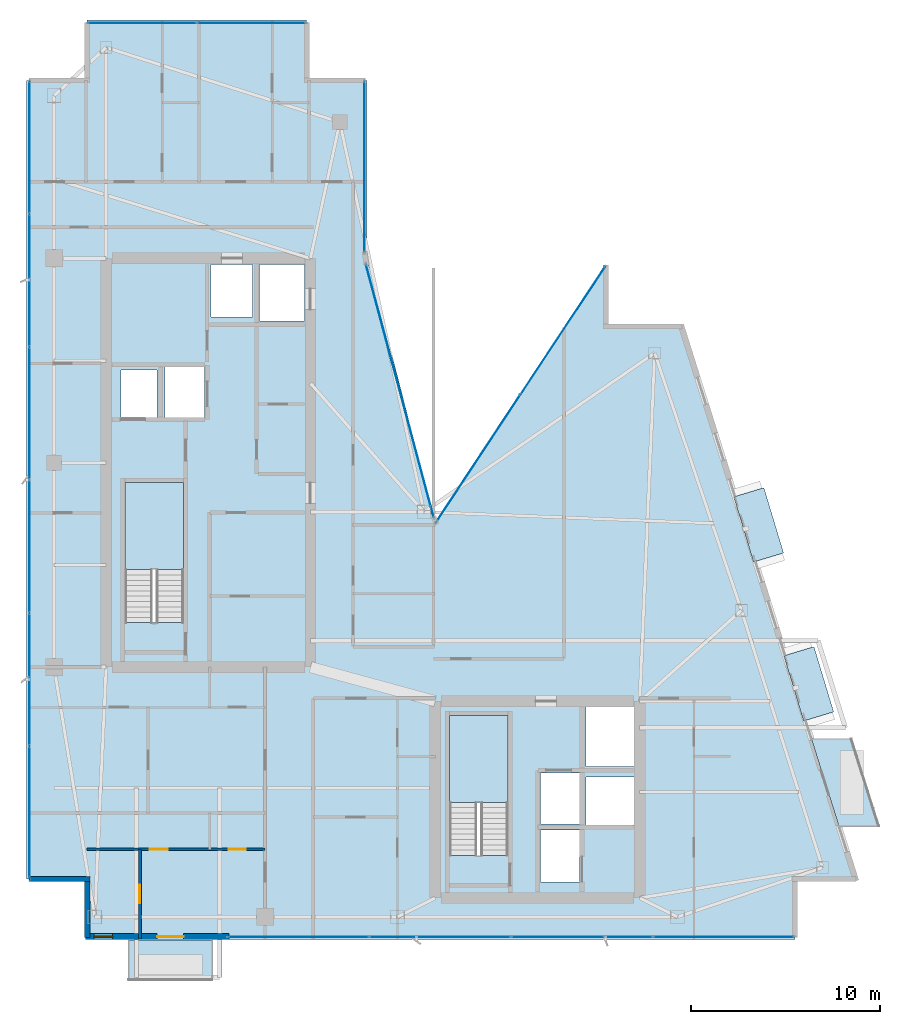
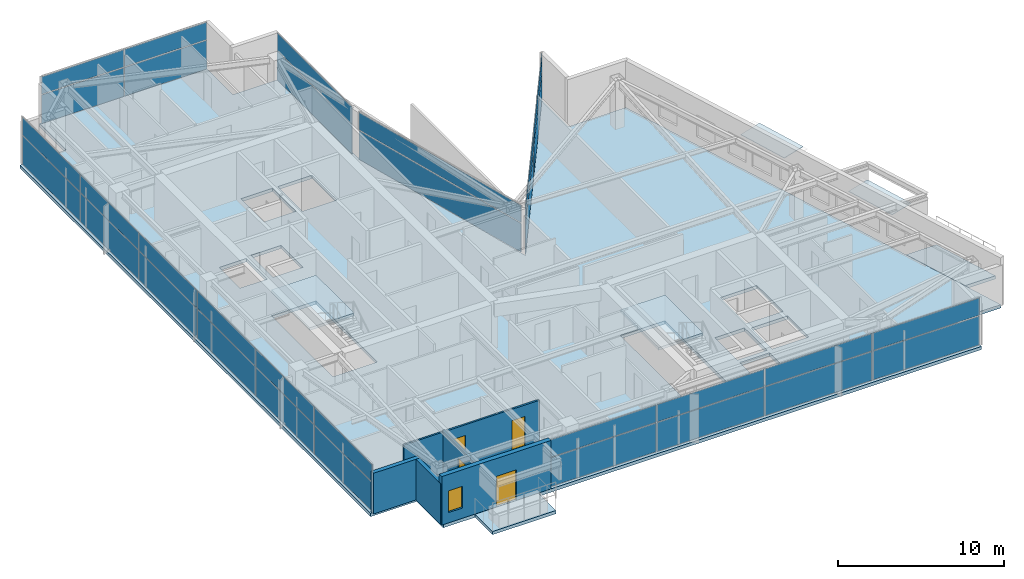
# One storey, part 22 of 28: 34 plates, 5 slabs, 5 walls, 4 doors, 1 window, 5 openings, 8 elements without a shape of their own.
"""IFC4 building model written with IfcOpenShell, lengths in metres."""

import ifcopenshell
import ifcopenshell.guid

model = None  # the IFC model being written
_history = None  # IfcOwnerHistory: only IFC2X3 demands one
_inside = {}  # id of a spatial element -> (the spatial element, [elements in it])
_under = {}  # id of a project, library or spatial element -> (it, [spatial elements below it])
_declared = {}  # id of a project -> (the project, [libraries it declares])
_typed = {}  # id of a type object -> (the type object, [elements of that type])
_made_of = {}  # id of a material, layer set ... -> (it, [elements and type objects made of it])


def new_model(schema):
    """Start an empty IFC model of exactly this schema.

    Asked for "IFC4X3", IfcOpenShell would pick the latest addendum, in which some entities
    have other attributes; the version numbers below select the first issue.
    IFC2X3 requires an IfcOwnerHistory on every rooted entity: one is made here for all.
    """
    global model, _history
    if schema == "IFC4X3":
        model = ifcopenshell.file(schema_version=(4, 3, 0, 0))
    else:
        model = ifcopenshell.file(schema=schema)
    _inside.clear()
    _under.clear()
    _declared.clear()
    _typed.clear()
    _made_of.clear()
    _history = None
    if model.schema == "IFC2X3":
        org = make("IfcOrganization", Name="unknown")
        user = make(
            "IfcPersonAndOrganization",
            ThePerson=make("IfcPerson", FamilyName="unknown"),
            TheOrganization=org,
        )
        app = make(
            "IfcApplication",
            ApplicationDeveloper=org,
            Version="unknown",
            ApplicationFullName="unknown",
            ApplicationIdentifier="unknown",
        )
        _history = make(
            "IfcOwnerHistory",
            OwningUser=user,
            OwningApplication=app,
            ChangeAction="ADDED",
            CreationDate=0,
        )
    return model


def make(cls, **values):
    """One entity of the class cls with the attributes given. An attribute that is None is left unset."""
    return model.create_entity(
        cls, **{name: value for name, value in values.items() if value is not None}
    )


def rooted(cls, **values):
    """An entity with a GlobalId (a new one), such as an element, a storey or a relation."""
    return make(cls, GlobalId=ifcopenshell.guid.new(), OwnerHistory=_history, **values)


def si_unit(unit_type, name, prefix=None):
    """IfcSIUnit, for example si_unit("LENGTHUNIT", "METRE", prefix="MILLI")."""
    return make("IfcSIUnit", UnitType=unit_type, Prefix=prefix, Name=name)


def assignment(units):
    """IfcUnitAssignment: the units of a project."""
    return None if units is None else make("IfcUnitAssignment", Units=units)


def point(xyz):
    """IfcCartesianPoint."""
    return None if xyz is None else make("IfcCartesianPoint", Coordinates=xyz)


def direction(xyz):
    """IfcDirection."""
    return None if xyz is None else make("IfcDirection", DirectionRatios=xyz)


def frame(location, z_axis=None, x_axis=None):
    """IfcAxis2Placement3D, a coordinate frame: its origin and axes. An axis left out is left unset."""
    return make(
        "IfcAxis2Placement3D",
        Location=point(location),
        Axis=direction(z_axis),
        RefDirection=direction(x_axis),
    )


def frame_2d(location, x_axis=None):
    """IfcAxis2Placement2D, a coordinate frame in the plane: its origin and x axis."""
    return make(
        "IfcAxis2Placement2D", Location=point(location), RefDirection=direction(x_axis)
    )


def origin():
    """The frame at (0, 0, 0) with its axes left unset."""
    return frame((0.0, 0.0, 0.0))


def origin_2d():
    """The frame at (0, 0) in the plane with its x axis left unset."""
    return frame_2d((0.0, 0.0))


def place(relative_to, where):
    """IfcLocalPlacement: puts the frame where relative to a parent placement (None: the world)."""
    return make(
        "IfcLocalPlacement", PlacementRelTo=relative_to, RelativePlacement=where
    )


def context(
    kind, dimensions, precision=None, world=None, true_north=None, identifier=None
):
    """IfcGeometricRepresentationContext, for example the 3D "Model" context."""
    return make(
        "IfcGeometricRepresentationContext",
        ContextIdentifier=identifier,
        ContextType=kind,
        CoordinateSpaceDimension=dimensions,
        Precision=precision,
        WorldCoordinateSystem=world,
        TrueNorth=true_north,
    )


def subcontext(parent, identifier, kind, view, scale=None):
    """IfcGeometricRepresentationSubContext, for example "Body" below "Model"."""
    return make(
        "IfcGeometricRepresentationSubContext",
        ContextIdentifier=identifier,
        ContextType=kind,
        ParentContext=parent,
        TargetScale=scale,
        TargetView=view,
    )


def project(units=None, contexts=None):
    """IfcProject with its units and contexts."""
    return rooted(
        "IfcProject",
        Name="project",
        RepresentationContexts=contexts,
        UnitsInContext=assignment(units),
    )


def spatial(cls, under=None, at=None, **own):
    """A site, building, storey or space (cls), placed at a placement, below another one or the project."""
    s = rooted(cls, ObjectPlacement=at, **own)
    if under is not None:
        _under.setdefault(under.id(), (under, []))[1].append(s)
    return s


def polyline(points):
    """IfcPolyline through the points."""
    return make("IfcPolyline", Points=[point(p) for p in points])


def profile(cls, at=None, kind="AREA", **sizes):
    """A parametric profile (cls). Its sizes go by their IFC names, for example OverallWidth=200.0."""
    return make(cls, ProfileType=kind, Position=at, **sizes)


def rectangle(**sizes):
    """IfcRectangleProfileDef."""
    return profile("IfcRectangleProfileDef", **sizes)


def outline(outer, holes=None, kind="AREA"):
    """IfcArbitraryClosedProfileDef: a profile drawn as a closed curve; with holes, ...WithVoids."""
    if holes is None:
        return make("IfcArbitraryClosedProfileDef", ProfileType=kind, OuterCurve=outer)
    return make(
        "IfcArbitraryProfileDefWithVoids",
        ProfileType=kind,
        OuterCurve=outer,
        InnerCurves=holes,
    )


def extrude(swept, where, along, depth):
    """IfcExtrudedAreaSolid: the profile swept, set in the frame where, extruded along a direction by depth."""
    return make(
        "IfcExtrudedAreaSolid",
        SweptArea=swept,
        Position=where,
        ExtrudedDirection=direction(along),
        Depth=depth,
    )


def shape(context_of_items, identifier, shape_type, items):
    """IfcShapeRepresentation: the items that make up one representation, for example the "Body"."""
    return make(
        "IfcShapeRepresentation",
        ContextOfItems=context_of_items,
        RepresentationIdentifier=identifier,
        RepresentationType=shape_type,
        Items=items,
    )


def material(Name=None, Category=None):
    """IfcMaterial."""
    return make("IfcMaterial", Name=Name, Category=Category)


def layer(
    of_material, thickness, ventilated=None, Name=None, Category=None, Priority=None
):
    """IfcMaterialLayer: one layer of a wall or slab, of a material (None: an air gap)."""
    return make(
        "IfcMaterialLayer",
        Material=of_material,
        LayerThickness=thickness,
        IsVentilated=ventilated,
        Name=Name,
        Category=Category,
        Priority=Priority,
    )


def layer_set(layers, Name=None):
    """IfcMaterialLayerSet."""
    return make("IfcMaterialLayerSet", MaterialLayers=layers, LayerSetName=Name)


def made_of(thing, what):
    """Note that an element or type object is made of a material, layer set ...; save() writes the relation."""
    if what is not None:
        _made_of.setdefault(what.id(), (what, []))[1].append(thing)
    return thing


def type_object(cls, material=None, **own):
    """A type object (cls), such as IfcWallType, which elements share."""
    return made_of(rooted(cls, **own), material)


def element(
    cls,
    number,
    at=None,
    inside=None,
    cuts=None,
    type_object=None,
    material=None,
    context=None,
    identifier="Body",
    shape_type=None,
    held_by="IfcProductDefinitionShape",
    body=None,
    shapes=None,
    **own,
):
    """One element of the class cls, such as IfcWall. Its Tag is "e" and its number.

    at: its placement. inside: the storey or other place that contains it. cuts: it is an
    opening in that element (IfcRelVoidsElement). A single representation is given by context,
    identifier, shape_type and body (its items); several are given by shapes. held_by: the class
    of the entity that holds the representations. save() writes the other relations.
    """
    e = rooted(cls, Tag="e%d" % number, ObjectPlacement=at, **own)
    if body is not None:
        shapes = [shape(context, identifier, shape_type, body)]
    if shapes is not None:
        e.Representation = make(held_by, Representations=shapes)
    if inside is not None:
        _inside.setdefault(inside.id(), (inside, []))[1].append(e)
    if cuts is not None:
        rooted(
            "IfcRelVoidsElement", RelatingBuildingElement=cuts, RelatedOpeningElement=e
        )
    if type_object is not None:
        _typed.setdefault(type_object.id(), (type_object, []))[1].append(e)
    return made_of(e, material)


def fill(opening, filler):
    """IfcRelFillsElement: the door or window that sits in an opening."""
    return rooted(
        "IfcRelFillsElement",
        RelatingOpeningElement=opening,
        RelatedBuildingElement=filler,
    )


def aggregate(whole, parts):
    """IfcRelAggregates: a whole, such as a stair, and the parts it consists of."""
    return rooted("IfcRelAggregates", RelatingObject=whole, RelatedObjects=parts)


def save(model, path):
    """Write the relations noted so far, then the file.

    IfcRelAggregates (storeys below a building ...), IfcRelContainedInSpatialStructure (elements
    in a storey), IfcRelDefinesByType, IfcRelAssociatesMaterial and IfcRelDeclares: one each for
    every whole, place, type object, material and project.
    """
    for whole, parts in _under.values():
        aggregate(whole, parts)
    for where, things in _inside.values():
        rooted(
            "IfcRelContainedInSpatialStructure",
            RelatedElements=things,
            RelatingStructure=where,
        )
    for kind, things in _typed.values():
        rooted("IfcRelDefinesByType", RelatedObjects=things, RelatingType=kind)
    for what, things in _made_of.values():
        rooted("IfcRelAssociatesMaterial", RelatedObjects=things, RelatingMaterial=what)
    for by, libraries in _declared.values():
        rooted("IfcRelDeclares", RelatingContext=by, RelatedDefinitions=libraries)
    model.write(path)


model = new_model("IFC4")

# Units and contexts
model_context = context("Model", 3, precision=1e-05, world=origin(), true_north=direction((0.0, 1.0)))
body_context = subcontext(model_context, "Body", "Model", "MODEL_VIEW")
ifc_project = project(units=[si_unit("LENGTHUNIT", "METRE"), si_unit("AREAUNIT", "SQUARE_METRE"), si_unit("VOLUMEUNIT", "CUBIC_METRE"), si_unit("PLANEANGLEUNIT", "RADIAN"), si_unit("MASSUNIT", "GRAM", prefix="KILO")], contexts=[model_context])

# Site, building, storey
site_placement = place(None, origin())
site = spatial("IfcSite", under=ifc_project, at=site_placement, CompositionType="ELEMENT")
building_placement = place(site_placement, origin())
building = spatial("IfcBuilding", under=site, at=building_placement, Name="Calvorn Quay Hotel", CompositionType="ELEMENT")
storey_placement = place(building_placement, frame((0.0, 0.0, 267.300048828125)))
storey = spatial("IfcBuildingStorey", under=building, at=storey_placement, Name="L66", CompositionType="ELEMENT", Elevation=267.300048828125)

# Curtain wall, plates
ifc_material_1 = material(Name="Champagne Bronze Anodised Aluminium and Low-E Glass", Category="aluminium")
ifc_layer_1 = layer(ifc_material_1, 0.219970703125)
ifc_layer_set_1 = layer_set([ifc_layer_1], Name="CW-SYS-Z4")
curtain_wall_type = type_object("IfcCurtainWallType", Name="CW-SYS-Z4", PredefinedType="NOTDEFINED", material=ifc_layer_set_1)
curtain_wall_1_placement = place(storey_placement, origin())
curtain_wall_1 = element("IfcCurtainWall", 1, at=curtain_wall_1_placement, inside=storey, type_object=curtain_wall_type, Name="Tower West Curtain Wall (L66)", PredefinedType="NOTDEFINED")
ifc_material_2 = material(Name="Low-E Laminated Double Glazing", Category="glass")
ifc_layer_2 = layer(ifc_material_2, 0.028076171875)
ifc_layer_set_2 = layer_set([ifc_layer_2], Name="CW-SYS-Z4-PAN")
plate_type_1 = type_object("IfcPlateType", Name="CW-SYS-Z4-PAN", PredefinedType="CURTAIN_PANEL", material=ifc_layer_set_2)
plate_1_placement = place(storey_placement, frame((0.14990234375, 9.131591796875, 0.06005859375), z_axis=(0.0, 0.0, 1.0), x_axis=(0.0, 1.0, 0.0)))
plate_1 = element("IfcPlate", 2, at=plate_1_placement, type_object=plate_type_1, Name="CW-L66-W panel 1.1", PredefinedType="CURTAIN_PANEL", context=body_context, shape_type="SweptSolid", body=[
    extrude(rectangle(XDim=6.943359375, YDim=0.028076171875, at=origin_2d()), origin(), (0.0, 0.0, 1.0), 2.110107421875),
])
plate_2_placement = place(storey_placement, frame((0.14990234375, 9.131591796875, 2.22998046875), z_axis=(0.0, 0.0, 1.0), x_axis=(0.0, 1.0, 0.0)))
plate_2 = element("IfcPlate", 3, at=plate_2_placement, type_object=plate_type_1, Name="CW-L66-W panel 1.2", PredefinedType="CURTAIN_PANEL", context=body_context, shape_type="SweptSolid", body=[
    extrude(rectangle(XDim=6.943359375, YDim=0.028076171875, at=origin_2d()), origin(), (0.0, 0.0, 1.0), 1.27001953125),
])
plate_3_placement = place(storey_placement, frame((0.14990234375, 16.14990234375, 0.06005859375), z_axis=(0.0, 0.0, 1.0), x_axis=(0.0, 1.0, 0.0)))
plate_3 = element("IfcPlate", 4, at=plate_3_placement, type_object=plate_type_1, Name="CW-L66-W panel 2.1", PredefinedType="CURTAIN_PANEL", context=body_context, shape_type="SweptSolid", body=[
    extrude(rectangle(XDim=6.973388671875, YDim=0.028076171875, at=origin_2d()), origin(), (0.0, 0.0, 1.0), 2.110107421875),
])
plate_4_placement = place(storey_placement, frame((0.14990234375, 16.14990234375, 2.22998046875), z_axis=(0.0, 0.0, 1.0), x_axis=(0.0, 1.0, 0.0)))
plate_4 = element("IfcPlate", 5, at=plate_4_placement, type_object=plate_type_1, Name="CW-L66-W panel 2.2", PredefinedType="CURTAIN_PANEL", context=body_context, shape_type="SweptSolid", body=[
    extrude(rectangle(XDim=6.973388671875, YDim=0.028076171875, at=origin_2d()), origin(), (0.0, 0.0, 1.0), 1.27001953125),
])
plate_5_placement = place(storey_placement, frame((0.14990234375, 23.183349609375, 0.06005859375), z_axis=(0.0, 0.0, 1.0), x_axis=(0.0, 1.0, 0.0)))
plate_5 = element("IfcPlate", 6, at=plate_5_placement, type_object=plate_type_1, Name="CW-L66-W panel 3.1", PredefinedType="CURTAIN_PANEL", context=body_context, shape_type="SweptSolid", body=[
    extrude(rectangle(XDim=6.973388671875, YDim=0.028076171875, at=origin_2d()), origin(), (0.0, 0.0, 1.0), 2.110107421875),
])
plate_6_placement = place(storey_placement, frame((0.14990234375, 23.183349609375, 2.22998046875), z_axis=(0.0, 0.0, 1.0), x_axis=(0.0, 1.0, 0.0)))
plate_6 = element("IfcPlate", 7, at=plate_6_placement, type_object=plate_type_1, Name="CW-L66-W panel 3.2", PredefinedType="CURTAIN_PANEL", context=body_context, shape_type="SweptSolid", body=[
    extrude(rectangle(XDim=6.973388671875, YDim=0.028076171875, at=origin_2d()), origin(), (0.0, 0.0, 1.0), 1.27001953125),
])
plate_7_placement = place(storey_placement, frame((0.14990234375, 30.216552734375, 0.06005859375), z_axis=(0.0, 0.0, 1.0), x_axis=(0.0, 1.0, 0.0)))
plate_7 = element("IfcPlate", 8, at=plate_7_placement, type_object=plate_type_1, Name="CW-L66-W panel 4.1", PredefinedType="CURTAIN_PANEL", context=body_context, shape_type="SweptSolid", body=[
    extrude(rectangle(XDim=6.973388671875, YDim=0.028076171875, at=origin_2d()), origin(), (0.0, 0.0, 1.0), 2.110107421875),
])
plate_8_placement = place(storey_placement, frame((0.14990234375, 30.216552734375, 2.22998046875), z_axis=(0.0, 0.0, 1.0), x_axis=(0.0, 1.0, 0.0)))
plate_8 = element("IfcPlate", 9, at=plate_8_placement, type_object=plate_type_1, Name="CW-L66-W panel 4.2", PredefinedType="CURTAIN_PANEL", context=body_context, shape_type="SweptSolid", body=[
    extrude(rectangle(XDim=6.973388671875, YDim=0.028076171875, at=origin_2d()), origin(), (0.0, 0.0, 1.0), 1.27001953125),
])
plate_9_placement = place(storey_placement, frame((0.14990234375, 37.25, 0.06005859375), z_axis=(0.0, 0.0, 1.0), x_axis=(0.0, 1.0, 0.0)))
plate_9 = element("IfcPlate", 10, at=plate_9_placement, type_object=plate_type_1, Name="CW-L66-W panel 5.1", PredefinedType="CURTAIN_PANEL", context=body_context, shape_type="SweptSolid", body=[
    extrude(rectangle(XDim=6.973388671875, YDim=0.028076171875, at=origin_2d()), origin(), (0.0, 0.0, 1.0), 2.110107421875),
])
plate_10_placement = place(storey_placement, frame((0.14990234375, 37.25, 2.22998046875), z_axis=(0.0, 0.0, 1.0), x_axis=(0.0, 1.0, 0.0)))
plate_10 = element("IfcPlate", 11, at=plate_10_placement, type_object=plate_type_1, Name="CW-L66-W panel 5.2", PredefinedType="CURTAIN_PANEL", context=body_context, shape_type="SweptSolid", body=[
    extrude(rectangle(XDim=6.973388671875, YDim=0.028076171875, at=origin_2d()), origin(), (0.0, 0.0, 1.0), 1.27001953125),
])
plate_11_placement = place(storey_placement, frame((0.14990234375, 44.268310546875, 0.06005859375), z_axis=(0.0, 0.0, 1.0), x_axis=(0.0, 1.0, 0.0)))
plate_11 = element("IfcPlate", 12, at=plate_11_placement, type_object=plate_type_1, Name="CW-L66-W panel 6.1", PredefinedType="CURTAIN_PANEL", context=body_context, shape_type="SweptSolid", body=[
    extrude(rectangle(XDim=6.943359375, YDim=0.028076171875, at=origin_2d()), origin(), (0.0, 0.0, 1.0), 2.110107421875),
])
plate_12_placement = place(storey_placement, frame((0.14990234375, 44.268310546875, 2.22998046875), z_axis=(0.0, 0.0, 1.0), x_axis=(0.0, 1.0, 0.0)))
plate_12 = element("IfcPlate", 13, at=plate_12_placement, type_object=plate_type_1, Name="CW-L66-W panel 6.2", PredefinedType="CURTAIN_PANEL", context=body_context, shape_type="SweptSolid", body=[
    extrude(rectangle(XDim=6.943359375, YDim=0.028076171875, at=origin_2d()), origin(), (0.0, 0.0, 1.0), 1.27001953125),
])
aggregate(curtain_wall_1, [plate_1, plate_2, plate_3, plate_4, plate_5, plate_6, plate_7, plate_8, plate_9, plate_10, plate_11, plate_12])

curtain_wall_2_placement = place(storey_placement, origin())
curtain_wall_2 = element("IfcCurtainWall", 14, at=curtain_wall_2_placement, inside=storey, type_object=curtain_wall_type, Name="Tower South Waterfront Curtain Wall (L66)", PredefinedType="NOTDEFINED")
plate_13_placement = place(storey_placement, frame((14.364990234375, 2.550048828125, 0.06005859375), z_axis=(0.0, 0.0, 1.0), x_axis=(1.0, 0.0, 0.0)))
plate_13 = element("IfcPlate", 15, at=plate_13_placement, type_object=plate_type_1, Name="CW-L66-S panel 1.1", PredefinedType="CURTAIN_PANEL", context=body_context, shape_type="SweptSolid", body=[
    extrude(rectangle(XDim=7.409912109375, YDim=0.028076171875, at=origin_2d()), origin(), (0.0, 0.0, 1.0), 2.110107421875),
])
plate_14_placement = place(storey_placement, frame((14.364990234375, 2.550048828125, 2.22998046875), z_axis=(0.0, 0.0, 1.0), x_axis=(1.0, 0.0, 0.0)))
plate_14 = element("IfcPlate", 16, at=plate_14_placement, type_object=plate_type_1, Name="CW-L66-S panel 1.2", PredefinedType="CURTAIN_PANEL", context=body_context, shape_type="SweptSolid", body=[
    extrude(rectangle(XDim=7.409912109375, YDim=0.028076171875, at=origin_2d()), origin(), (0.0, 0.0, 1.0), 1.27001953125),
])
plate_15_placement = place(storey_placement, frame((21.85009765625, 2.550048828125, 0.06005859375), z_axis=(0.0, 0.0, 1.0), x_axis=(1.0, 0.0, 0.0)))
plate_15 = element("IfcPlate", 17, at=plate_15_placement, type_object=plate_type_1, Name="CW-L66-S panel 2.1", PredefinedType="CURTAIN_PANEL", context=body_context, shape_type="SweptSolid", body=[
    extrude(rectangle(XDim=7.43994140625, YDim=0.028076171875, at=origin_2d()), origin(), (0.0, 0.0, 1.0), 2.110107421875),
])
plate_16_placement = place(storey_placement, frame((21.85009765625, 2.550048828125, 2.22998046875), z_axis=(0.0, 0.0, 1.0), x_axis=(1.0, 0.0, 0.0)))
plate_16 = element("IfcPlate", 18, at=plate_16_placement, type_object=plate_type_1, Name="CW-L66-S panel 2.2", PredefinedType="CURTAIN_PANEL", context=body_context, shape_type="SweptSolid", body=[
    extrude(rectangle(XDim=7.43994140625, YDim=0.028076171875, at=origin_2d()), origin(), (0.0, 0.0, 1.0), 1.27001953125),
])
plate_17_placement = place(storey_placement, frame((29.35009765625, 2.550048828125, 0.06005859375), z_axis=(0.0, 0.0, 1.0), x_axis=(1.0, 0.0, 0.0)))
plate_17 = element("IfcPlate", 19, at=plate_17_placement, type_object=plate_type_1, Name="CW-L66-S panel 3.1", PredefinedType="CURTAIN_PANEL", context=body_context, shape_type="SweptSolid", body=[
    extrude(rectangle(XDim=7.43994140625, YDim=0.028076171875, at=origin_2d()), origin(), (0.0, 0.0, 1.0), 2.110107421875),
])
plate_18_placement = place(storey_placement, frame((29.35009765625, 2.550048828125, 2.22998046875), z_axis=(0.0, 0.0, 1.0), x_axis=(1.0, 0.0, 0.0)))
plate_18 = element("IfcPlate", 20, at=plate_18_placement, type_object=plate_type_1, Name="CW-L66-S panel 3.2", PredefinedType="CURTAIN_PANEL", context=body_context, shape_type="SweptSolid", body=[
    extrude(rectangle(XDim=7.43994140625, YDim=0.028076171875, at=origin_2d()), origin(), (0.0, 0.0, 1.0), 1.27001953125),
])
plate_19_placement = place(storey_placement, frame((36.8349609375, 2.550048828125, 0.06005859375), z_axis=(0.0, 0.0, 1.0), x_axis=(1.0, 0.0, 0.0)))
plate_19 = element("IfcPlate", 21, at=plate_19_placement, type_object=plate_type_1, Name="CW-L66-S panel 4.1", PredefinedType="CURTAIN_PANEL", context=body_context, shape_type="SweptSolid", body=[
    extrude(rectangle(XDim=7.409912109375, YDim=0.028076171875, at=origin_2d()), origin(), (0.0, 0.0, 1.0), 2.110107421875),
])
plate_20_placement = place(storey_placement, frame((36.8349609375, 2.550048828125, 2.22998046875), z_axis=(0.0, 0.0, 1.0), x_axis=(1.0, 0.0, 0.0)))
plate_20 = element("IfcPlate", 22, at=plate_20_placement, type_object=plate_type_1, Name="CW-L66-S panel 4.2", PredefinedType="CURTAIN_PANEL", context=body_context, shape_type="SweptSolid", body=[
    extrude(rectangle(XDim=7.409912109375, YDim=0.028076171875, at=origin_2d()), origin(), (0.0, 0.0, 1.0), 1.27001953125),
])
aggregate(curtain_wall_2, [plate_13, plate_14, plate_15, plate_16, plate_17, plate_18, plate_19, plate_20])

curtain_wall_3_placement = place(storey_placement, origin())
curtain_wall_3 = element("IfcCurtainWall", 23, at=curtain_wall_3_placement, inside=storey, type_object=curtain_wall_type, Name="Inner Court Curtain Wall L66-NE1", PredefinedType="NOTDEFINED")
plate_21_placement = place(storey_placement, frame((28.341796875, 34.58740234375, 0.06005859375), z_axis=(0.0, 0.0, 1.0), x_axis=(-0.551866900852, -0.833932205724, 0.0)))
plate_21 = element("IfcPlate", 24, at=plate_21_placement, type_object=plate_type_1, Name="CW-L66-NE1 panel 1.1", PredefinedType="CURTAIN_PANEL", context=body_context, shape_type="SweptSolid", body=[
    extrude(rectangle(XDim=8.064208984375, YDim=0.028076171875, at=origin_2d()), origin(), (0.0, 0.0, 1.0), 2.110107421875),
])
plate_22_placement = place(storey_placement, frame((28.341796875, 34.58740234375, 2.22998046875), z_axis=(0.0, 0.0, 1.0), x_axis=(-0.551866900852, -0.833932205724, 0.0)))
plate_22 = element("IfcPlate", 25, at=plate_22_placement, type_object=plate_type_1, Name="CW-L66-NE1 panel 1.2", PredefinedType="CURTAIN_PANEL", context=body_context, shape_type="SweptSolid", body=[
    extrude(rectangle(XDim=8.064208984375, YDim=0.028076171875, at=origin_2d()), origin(), (0.0, 0.0, 1.0), 1.27001953125),
])
plate_23_placement = place(storey_placement, frame((23.8583984375, 27.8125, 0.06005859375), z_axis=(0.0, 0.0, 1.0), x_axis=(-0.551866900852, -0.833932205724, 0.0)))
plate_23 = element("IfcPlate", 26, at=plate_23_placement, type_object=plate_type_1, Name="CW-L66-NE1 panel 2.1", PredefinedType="CURTAIN_PANEL", context=body_context, shape_type="SweptSolid", body=[
    extrude(rectangle(XDim=8.064208984375, YDim=0.028076171875, at=origin_2d()), origin(), (0.0, 0.0, 1.0), 2.110107421875),
])
plate_24_placement = place(storey_placement, frame((23.8583984375, 27.8125, 2.22998046875), z_axis=(0.0, 0.0, 1.0), x_axis=(-0.551866900852, -0.833932205724, 0.0)))
plate_24 = element("IfcPlate", 27, at=plate_24_placement, type_object=plate_type_1, Name="CW-L66-NE1 panel 2.2", PredefinedType="CURTAIN_PANEL", context=body_context, shape_type="SweptSolid", body=[
    extrude(rectangle(XDim=8.064208984375, YDim=0.028076171875, at=origin_2d()), origin(), (0.0, 0.0, 1.0), 1.27001953125),
])
aggregate(curtain_wall_3, [plate_21, plate_22, plate_23, plate_24])

curtain_wall_4_placement = place(storey_placement, origin())
curtain_wall_4 = element("IfcCurtainWall", 28, at=curtain_wall_4_placement, inside=storey, type_object=curtain_wall_type, Name="Inner Court Curtain Wall L66-IC1", PredefinedType="NOTDEFINED")
plate_25_placement = place(storey_placement, frame((19.72509765625, 31.39990234375, 0.06005859375), z_axis=(0.0, 0.0, 1.0), x_axis=(-0.25877913024, 0.96593652056, 0.0)))
plate_25 = element("IfcPlate", 29, at=plate_25_placement, type_object=plate_type_1, Name="CW-L66-IC1 panel 1.1", PredefinedType="CURTAIN_PANEL", context=body_context, shape_type="SweptSolid", body=[
    extrude(rectangle(XDim=13.814697265625, YDim=0.028076171875, at=origin_2d()), origin(), (0.0, 0.0, 1.0), 2.110107421875),
])
plate_26_placement = place(storey_placement, frame((19.72509765625, 31.39990234375, 2.22998046875), z_axis=(0.0, 0.0, 1.0), x_axis=(-0.25877913024, 0.96593652056, 0.0)))
plate_26 = element("IfcPlate", 30, at=plate_26_placement, type_object=plate_type_1, Name="CW-L66-IC1 panel 1.2", PredefinedType="CURTAIN_PANEL", context=body_context, shape_type="SweptSolid", body=[
    extrude(rectangle(XDim=13.814697265625, YDim=0.028076171875, at=origin_2d()), origin(), (0.0, 0.0, 1.0), 1.27001953125),
])
aggregate(curtain_wall_4, [plate_25, plate_26])

curtain_wall_5_placement = place(storey_placement, origin())
curtain_wall_5 = element("IfcCurtainWall", 31, at=curtain_wall_5_placement, inside=storey, type_object=curtain_wall_type, Name="Inner Court Curtain Wall L66-IC2", PredefinedType="NOTDEFINED")
plate_27_placement = place(storey_placement, frame((17.85009765625, 43.239990234375, 0.06005859375), z_axis=(0.0, 0.0, 1.0), x_axis=(0.0, 1.0, 0.0)))
plate_27 = element("IfcPlate", 32, at=plate_27_placement, type_object=plate_type_1, Name="CW-L66-IC2 panel 1.1", PredefinedType="CURTAIN_PANEL", context=body_context, shape_type="SweptSolid", body=[
    extrude(rectangle(XDim=9.0, YDim=0.028076171875, at=origin_2d()), origin(), (0.0, 0.0, 1.0), 2.110107421875),
])
plate_28_placement = place(storey_placement, frame((17.85009765625, 43.239990234375, 2.22998046875), z_axis=(0.0, 0.0, 1.0), x_axis=(0.0, 1.0, 0.0)))
plate_28 = element("IfcPlate", 33, at=plate_28_placement, type_object=plate_type_1, Name="CW-L66-IC2 panel 1.2", PredefinedType="CURTAIN_PANEL", context=body_context, shape_type="SweptSolid", body=[
    extrude(rectangle(XDim=9.0, YDim=0.028076171875, at=origin_2d()), origin(), (0.0, 0.0, 1.0), 1.27001953125),
])
aggregate(curtain_wall_5, [plate_27, plate_28])

curtain_wall_6_placement = place(storey_placement, origin())
curtain_wall_6 = element("IfcCurtainWall", 34, at=curtain_wall_6_placement, inside=storey, type_object=curtain_wall_type, Name="Inner Court Curtain Wall L66-N1", PredefinedType="NOTDEFINED")
plate_29_placement = place(storey_placement, frame((11.885009765625, 50.85009765625, 0.06005859375), z_axis=(0.0, 0.0, 1.0), x_axis=(-1.0, 0.0, 0.0)))
plate_29 = element("IfcPlate", 35, at=plate_29_placement, type_object=plate_type_1, Name="CW-L66-N1 panel 1.1", PredefinedType="CURTAIN_PANEL", context=body_context, shape_type="SweptSolid", body=[
    extrude(rectangle(XDim=5.7099609375, YDim=0.028076171875, at=origin_2d()), origin(), (0.0, 0.0, 1.0), 2.110107421875),
])
plate_30_placement = place(storey_placement, frame((11.885009765625, 50.85009765625, 2.22998046875), z_axis=(0.0, 0.0, 1.0), x_axis=(-1.0, 0.0, 0.0)))
plate_30 = element("IfcPlate", 36, at=plate_30_placement, type_object=plate_type_1, Name="CW-L66-N1 panel 1.2", PredefinedType="CURTAIN_PANEL", context=body_context, shape_type="SweptSolid", body=[
    extrude(rectangle(XDim=5.7099609375, YDim=0.028076171875, at=origin_2d()), origin(), (0.0, 0.0, 1.0), 1.27001953125),
])
plate_31_placement = place(storey_placement, frame((6.114990234375, 50.85009765625, 0.06005859375), z_axis=(0.0, 0.0, 1.0), x_axis=(-1.0, 0.0, 0.0)))
plate_31 = element("IfcPlate", 37, at=plate_31_placement, type_object=plate_type_1, Name="CW-L66-N1 panel 2.1", PredefinedType="CURTAIN_PANEL", context=body_context, shape_type="SweptSolid", body=[
    extrude(rectangle(XDim=5.7099609375, YDim=0.028076171875, at=origin_2d()), origin(), (0.0, 0.0, 1.0), 2.110107421875),
])
plate_32_placement = place(storey_placement, frame((6.114990234375, 50.85009765625, 2.22998046875), z_axis=(0.0, 0.0, 1.0), x_axis=(-1.0, 0.0, 0.0)))
plate_32 = element("IfcPlate", 38, at=plate_32_placement, type_object=plate_type_1, Name="CW-L66-N1 panel 2.2", PredefinedType="CURTAIN_PANEL", context=body_context, shape_type="SweptSolid", body=[
    extrude(rectangle(XDim=5.7099609375, YDim=0.028076171875, at=origin_2d()), origin(), (0.0, 0.0, 1.0), 1.27001953125),
])
aggregate(curtain_wall_6, [plate_29, plate_30, plate_31, plate_32])

# Plates
ifc_material_3 = material(Name="Tempered Laminated Low-E Glass", Category="glass")
ifc_layer_3 = layer(ifc_material_3, 0.0380859375)
ifc_layer_set_3 = layer_set([ifc_layer_3], Name="PLT-HOOD-GLAZ")
plate_type_2 = type_object("IfcPlateType", Name="PLT-HOOD-GLAZ", PredefinedType="SHEET", material=ifc_layer_set_3)
for number, where, z_axis, x_axis, name in (
    (39, (41.3359375, 15.91796875, 2.466796875), (0.0, 0.0, 1.0), (0.957319497532, 0.289031796944, 0.0), "Angled Glass Bay Hood Panel L66-HOOD-2"),
    (40, (38.68896484375, 24.318115234375, 2.466796875), (0.0, 0.0, 1.0), (0.957319497532, 0.289031796944, 0.0), "Angled Glass Bay Hood Panel L66-HOOD-3"),
):
    element("IfcPlate", number, at=place(storey_placement, frame(where, z_axis=z_axis, x_axis=x_axis)), inside=storey, type_object=plate_type_2, Name=name, PredefinedType="SHEET", context=body_context, shape_type="SweptSolid", body=[
        extrude(rectangle(XDim=1.659912109375, YDim=3.60009765625, at=origin_2d()), origin(), (0.0, 0.0, 1.0), 0.0380859375),
    ])

# Slabs
ifc_material_4 = material(Name="Concrete C40", Category="concrete")
ifc_layer_4 = layer(ifc_material_4, 0.239990234375)
ifc_layer_set_4 = layer_set([ifc_layer_4], Name="SLB-BALCONY-220")
slab_type_1 = type_object("IfcSlabType", Name="SLB-BALCONY-220", PredefinedType="FLOOR", material=ifc_layer_set_4)
slab_1_placement = place(storey_placement, frame((0.0, 0.0, -0.239990234375)))
element("IfcSlab", 41, at=slab_1_placement, inside=storey, type_object=slab_type_1, Name="Tree Balcony Slab L66-BALC-E", PredefinedType="FLOOR", context=body_context, shape_type="SweptSolid", body=[
    extrude(outline(polyline([(42.927978515625, 8.39990234375), (45.028076171875, 8.39990234375), (43.577880859375, 13.0), (41.47802734375, 13.0), (42.927978515625, 8.39990234375)])), origin(), (0.0, 0.0, 1.0), 0.239990234375),
])
slab_2_placement = place(storey_placement, frame((0.0, 0.0, -0.239990234375)))
element("IfcSlab", 42, at=slab_2_placement, inside=storey, type_object=slab_type_1, Name="Tree Balcony Slab L66-BALC-S", PredefinedType="FLOOR", context=body_context, shape_type="SweptSolid", body=[
    extrude(outline(polyline([(5.39990234375, 0.2900390625), (9.800048828125, 0.2900390625), (9.800048828125, 2.389892578125), (5.39990234375, 2.389892578125), (5.39990234375, 0.2900390625)])), origin(), (0.0, 0.0, 1.0), 0.239990234375),
])

# Stair, slab
ifc_material_5 = material(Name="Concrete C40", Category="concrete")
stair_type = type_object("IfcStairType", Name="STR-CORE-DOGLEG", PredefinedType="HALF_TURN_STAIR", material=ifc_material_5)
stair_1_placement = place(storey_placement, origin())
stair_1 = element("IfcStair", 43, at=stair_1_placement, inside=storey, type_object=stair_type, Name="L66 ST-W", PredefinedType="HALF_TURN_STAIR")
ifc_material_6 = material(Name="Concrete C40", Category="concrete")
ifc_layer_5 = layer(ifc_material_6, 0.199951171875)
ifc_layer_set_5 = layer_set([ifc_layer_5], Name="SLB-STAIR-LANDING-200")
slab_type_2 = type_object("IfcSlabType", Name="SLB-STAIR-LANDING-200", PredefinedType="LANDING", material=ifc_layer_set_5)
slab_3_placement = place(storey_placement, frame((0.0, 0.0, 1.699951171875)))
slab_3 = element("IfcSlab", 44, at=slab_3_placement, type_object=slab_type_2, Name="ST-W landing 1", PredefinedType="LANDING", context=body_context, shape_type="SweptSolid", body=[
    extrude(outline(polyline([(8.300048828125, 21.949951171875), (8.300048828125, 26.550048828125), (5.199951171875, 26.550048828125), (5.199951171875, 21.949951171875), (8.300048828125, 21.949951171875)])), origin(), (0.0, 0.0, 1.0), 0.199951171875),
])
aggregate(stair_1, [slab_3])

stair_2_placement = place(storey_placement, origin())
stair_2 = element("IfcStair", 45, at=stair_2_placement, inside=storey, type_object=stair_type, Name="L66 ST-E", PredefinedType="HALF_TURN_STAIR")
slab_4_placement = place(storey_placement, frame((0.0, 0.0, 1.699951171875)))
slab_4 = element("IfcSlab", 46, at=slab_4_placement, type_object=slab_type_2, Name="ST-E landing 1", PredefinedType="LANDING", context=body_context, shape_type="SweptSolid", body=[
    extrude(outline(polyline([(25.449951171875, 9.64990234375), (25.449951171875, 14.25), (22.35009765625, 14.25), (22.35009765625, 9.64990234375), (25.449951171875, 9.64990234375)])), origin(), (0.0, 0.0, 1.0), 0.199951171875),
])
aggregate(stair_2, [slab_4])

# Slab
ifc_material_7 = material(Name="Concrete C40", Category="concrete")
ifc_layer_6 = layer(ifc_material_7, 0.239990234375)
ifc_layer_set_6 = layer_set([ifc_layer_6], Name="SLB-TOWER-240")
slab_type_3 = type_object("IfcSlabType", Name="SLB-TOWER-240", PredefinedType="FLOOR", material=ifc_layer_set_6)
slab_5_placement = place(storey_placement, frame((0.0, 0.0, -0.239990234375)))
element("IfcSlab", 47, at=slab_5_placement, inside=storey, type_object=slab_type_3, Name="L66 Structural Floor Slab", PredefinedType="FLOOR", context=body_context, shape_type="SweptSolid", body=[
    extrude(outline(polyline([(0.0, 5.60009765625), (3.199951171875, 5.60009765625), (3.199951171875, 2.39990234375), (40.60009765625, 2.39990234375), (40.60009765625, 5.60009765625), (43.800048828125, 5.60009765625), (34.60009765625, 34.800048828125), (30.60009765625, 34.800048828125), (30.60009765625, 38.0), (21.60009765625, 24.39990234375), (18.0, 38.39990234375), (18.0, 47.800048828125), (14.800048828125, 47.800048828125), (14.800048828125, 51.0), (3.199951171875, 51.0), (3.199951171875, 47.800048828125), (0.0, 47.800048828125), (0.0, 5.60009765625)]), holes=[polyline([(5.199951171875, 19.156005859375), (8.300048828125, 19.156005859375), (8.300048828125, 26.550048828125), (5.199951171875, 26.550048828125), (5.199951171875, 19.156005859375)]), polyline([(22.35009765625, 6.85595703125), (25.449951171875, 6.85595703125), (25.449951171875, 14.25), (22.35009765625, 14.25), (22.35009765625, 6.85595703125)]), polyline([(5.0, 30.0), (6.89990234375, 30.0), (6.89990234375, 32.5), (5.0, 32.5), (5.0, 30.0)]), polyline([(7.300048828125, 30.0), (9.39990234375, 30.0), (9.39990234375, 32.64990234375), (7.300048828125, 32.64990234375), (7.300048828125, 30.0)]), polyline([(27.159912109375, 8.5), (29.2099609375, 8.5), (29.2099609375, 11.199951171875), (27.159912109375, 11.199951171875), (27.159912109375, 8.5)]), polyline([(27.159912109375, 5.449951171875), (29.2099609375, 5.449951171875), (29.2099609375, 8.199951171875), (27.159912109375, 8.199951171875), (27.159912109375, 5.449951171875)]), polyline([(12.300048828125, 35.10009765625), (14.68994140625, 35.10009765625), (14.68994140625, 38.090087890625), (12.300048828125, 38.090087890625), (12.300048828125, 35.10009765625)]), polyline([(9.75, 35.300048828125), (11.949951171875, 35.300048828125), (11.949951171875, 38.090087890625), (9.75, 38.090087890625), (9.75, 35.300048828125)]), polyline([(29.550048828125, 11.550048828125), (32.090087890625, 11.550048828125), (32.090087890625, 14.68994140625), (29.550048828125, 14.68994140625), (29.550048828125, 11.550048828125)]), polyline([(29.550048828125, 8.449951171875), (32.090087890625, 8.449951171875), (32.090087890625, 11.0), (29.550048828125, 11.0), (29.550048828125, 8.449951171875)])]), origin(), (0.0, 0.0, 1.0), 0.239990234375),
])

# Wall, openings, doors
ifc_material_8 = material(Name="Moisture-Resistant Tile-Backed Partition")
ifc_layer_7 = layer(ifc_material_8, 0.125)
ifc_layer_set_7 = layer_set([ifc_layer_7], Name="WL-ENSUITE-125")
wall_type_1 = type_object("IfcWallType", Name="WL-ENSUITE-125", PredefinedType="PARTITIONING", material=ifc_layer_set_7)
wall_1_placement = place(storey_placement, frame((3.199951171875, 7.169921875, 0.0), z_axis=(0.0, 0.0, 1.0), x_axis=(1.0, 0.0, 0.0)))
wall_1 = element("IfcWall", 48, at=wall_1_placement, inside=storey, type_object=wall_type_1, Name="Partition Wall L66-WL-U01-BH", PredefinedType="PARTITIONING", context=body_context, shape_type="SweptSolid", body=[
    extrude(rectangle(XDim=9.400146484375, YDim=0.125, at=frame_2d((4.7001953125, 0.0))), origin(), (0.0, 0.0, 1.0), 2.989990234375),
])
opening_1_placement = place(wall_1_placement, frame((3.300048828125, 0.0, 0.0)))
opening_1 = element("IfcOpeningElement", 49, at=opening_1_placement, cuts=wall_1, Name="Opening D-L66-S01", PredefinedType="OPENING", context=body_context, shape_type="SweptSolid", body=[
    extrude(rectangle(XDim=0.9599609375, YDim=2.199951171875, at=frame_2d((0.47998046875, 1.10009765625))), frame((0.0, 0.072509765625, 0.0), z_axis=(0.0, -1.0, 0.0), x_axis=(1.0, 0.0, 0.0)), (0.0, 0.0, 1.0), 0.14501953125),
])
opening_2_placement = place(wall_1_placement, frame((7.489990234375, 0.0, 0.0)))
opening_2 = element("IfcOpeningElement", 50, at=opening_2_placement, cuts=wall_1, Name="Opening D-L66-E01", PredefinedType="OPENING", context=body_context, shape_type="SweptSolid", body=[
    extrude(rectangle(XDim=0.89990234375, YDim=2.14990234375, at=frame_2d((0.449951171875, 1.074951171875))), frame((0.0, 0.072509765625, 0.0), z_axis=(0.0, -1.0, 0.0), x_axis=(1.0, 0.0, 0.0)), (0.0, 0.0, 1.0), 0.14501953125),
])
ifc_material_9 = material(Name="Moisture-Sealed Timber En-Suite Door", Category="wood")
door_type_1 = type_object("IfcDoorType", Name="DR-ENSUITE-900", OperationType="NOTDEFINED", PredefinedType="DOOR", material=ifc_material_9)
door_1_placement = place(opening_2_placement, origin())
door_1 = element("IfcDoor", 51, at=door_1_placement, inside=storey, type_object=door_type_1, Name="En-Suite Door 01", OperationType="SINGLE_SWING_RIGHT", OverallHeight=2.14990234375, OverallWidth=0.89990234375, PredefinedType="DOOR", context=body_context, shape_type="SweptSolid", body=[
    extrude(rectangle(XDim=0.89990234375, YDim=2.14990234375, at=frame_2d((0.449951171875, 1.074951171875))), frame((0.0, 0.02490234375, 0.0), z_axis=(0.0, -1.0, 0.0), x_axis=(1.0, 0.0, 0.0)), (0.0, 0.0, 1.0), 0.050048828125),
])
fill(opening_2, door_1)
ifc_material_10 = material(Name="Solid Timber Internal Suite Door", Category="wood")
door_type_2 = type_object("IfcDoorType", Name="DR-SUITE-INT-960", OperationType="NOTDEFINED", PredefinedType="DOOR", material=ifc_material_10)
door_2_placement = place(opening_1_placement, origin())
door_2 = element("IfcDoor", 52, at=door_2_placement, inside=storey, type_object=door_type_2, Name="Harbour Dining Den Door 01", OperationType="SINGLE_SWING_LEFT", OverallHeight=2.199951171875, OverallWidth=0.9599609375, PredefinedType="DOOR", context=body_context, shape_type="SweptSolid", body=[
    extrude(rectangle(XDim=0.9599609375, YDim=2.199951171875, at=frame_2d((0.47998046875, 1.10009765625))), frame((0.0, 0.02490234375, 0.0), z_axis=(0.0, -1.0, 0.0), x_axis=(1.0, 0.0, 0.0)), (0.0, 0.0, 1.0), 0.050048828125),
])
fill(opening_1, door_2)

# Wall, openings, door, window
ifc_material_11 = material(Name="Concrete C40", Category="concrete")
ifc_layer_8 = layer(ifc_material_11, 0.320068359375)
ifc_layer_set_8 = layer_set([ifc_layer_8], Name="WL-EXT-SPANDREL-320")
wall_type_2 = type_object("IfcWallType", Name="WL-EXT-SPANDREL-320", PredefinedType="SOLIDWALL", material=ifc_layer_set_8)
wall_2_placement = place(storey_placement, frame((3.10009765625, 2.56005859375, 0.0), z_axis=(0.0, 0.0, 1.0), x_axis=(1.0, 0.0, 0.0)))
wall_2 = element("IfcWall", 53, at=wall_2_placement, inside=storey, type_object=wall_type_2, Name="South Balcony Exterior Wall (L66)", PredefinedType="SOLIDWALL", context=body_context, shape_type="SweptSolid", body=[
    extrude(rectangle(XDim=7.599853515625, YDim=0.320068359375, at=frame_2d((3.7998046875, 0.0))), origin(), (0.0, 0.0, 1.0), 3.56005859375),
])
opening_3_placement = place(wall_2_placement, frame((0.449951171875, 0.0, 0.75)))
opening_3 = element("IfcOpeningElement", 54, at=opening_3_placement, cuts=wall_2, Name="Opening WSB-L66-1", PredefinedType="OPENING", context=body_context, shape_type="SweptSolid", body=[
    extrude(rectangle(XDim=1.0, YDim=1.60009765625, at=frame_2d((0.5, 0.800048828125))), frame((0.0, 0.169921875, 0.0), z_axis=(0.0, -1.0, 0.0), x_axis=(1.0, 0.0, 0.0)), (0.0, 0.0, 1.0), 0.340087890625),
])
opening_4_placement = place(wall_2_placement, frame((3.800048828125, 0.0, 0.0)))
opening_4 = element("IfcOpeningElement", 55, at=opening_4_placement, cuts=wall_2, Name="Opening DB-L66-2", PredefinedType="OPENING", context=body_context, shape_type="SweptSolid", body=[
    extrude(rectangle(XDim=1.39990234375, YDim=2.25, at=frame_2d((0.699951171875, 1.125))), frame((0.0, 0.169921875, 0.0), z_axis=(0.0, -1.0, 0.0), x_axis=(1.0, 0.0, 0.0)), (0.0, 0.0, 1.0), 0.340087890625),
])
ifc_material_12 = material(Name="Typhoon-Rated Low-E Aluminium Terrace Door", Category="aluminium")
door_type_3 = type_object("IfcDoorType", Name="DR-BALCONY-GLZ-1400", OperationType="NOTDEFINED", PredefinedType="DOOR", material=ifc_material_12)
door_3_placement = place(opening_4_placement, origin())
door_3 = element("IfcDoor", 56, at=door_3_placement, inside=storey, type_object=door_type_3, Name="Tree Balcony Terrace Door L66-BALC-S", OperationType="SINGLE_SWING_LEFT", OverallHeight=2.25, OverallWidth=1.39990234375, PredefinedType="DOOR", context=body_context, shape_type="SweptSolid", body=[
    extrude(rectangle(XDim=1.39990234375, YDim=2.25, at=frame_2d((0.699951171875, 1.125))), frame((0.0, 0.02490234375, 0.0), z_axis=(0.0, -1.0, 0.0), x_axis=(1.0, 0.0, 0.0)), (0.0, 0.0, 1.0), 0.050048828125),
])
fill(opening_4, door_3)
ifc_material_13 = material(Name="Self-Closing Class B Side Fire Window")
window_type = type_object("IfcWindowType", Name="WIN-REFUGE-NARROW-1000x1600", PartitioningType="SINGLE_PANEL", PredefinedType="WINDOW", material=ifc_material_13)
window_placement = place(opening_3_placement, origin())
window = element("IfcWindow", 57, at=window_placement, inside=storey, type_object=window_type, Name="South Waterfront Side Window (L66)", OverallHeight=1.60009765625, OverallWidth=1.0, PartitioningType="SINGLE_PANEL", PredefinedType="WINDOW", context=body_context, shape_type="SweptSolid", body=[
    extrude(rectangle(XDim=1.0, YDim=1.60009765625, at=frame_2d((0.5, 0.800048828125))), frame((0.0, 0.030029296875, 0.0), z_axis=(0.0, -1.0, 0.0), x_axis=(1.0, 0.0, 0.0)), (0.0, 0.0, 1.0), 0.06005859375),
])
fill(opening_3, window)

# Walls
wall_3_placement = place(storey_placement, frame((0.1201171875, 5.60009765625, 0.0), z_axis=(0.0, 0.0, 1.0), x_axis=(1.0, 0.0, 0.0)))
element("IfcWall", 58, at=wall_3_placement, inside=storey, type_object=wall_type_2, Name="Notched Corner Spandrel L66-SW1", PredefinedType="SOLIDWALL", context=body_context, shape_type="SweptSolid", body=[
    extrude(rectangle(XDim=3.219970703125, YDim=0.280029296875, at=frame_2d((1.60986328125, 0.0))), origin(), (0.0, 0.0, 1.0), 2.989990234375),
])
wall_4_placement = place(storey_placement, frame((3.199951171875, 5.4599609375, 0.0), z_axis=(0.0, 0.0, 1.0), x_axis=(0.0, -1.0, 0.0)))
element("IfcWall", 59, at=wall_4_placement, inside=storey, type_object=wall_type_2, Name="Notched Corner Spandrel L66-SW2", PredefinedType="SOLIDWALL", context=body_context, shape_type="SweptSolid", body=[
    extrude(rectangle(XDim=2.93994140625, YDim=0.280029296875, at=frame_2d((1.469970703125, 0.0))), origin(), (0.0, 0.0, 1.0), 2.989990234375),
])

# Wall, opening, door
ifc_material_14 = material(Name="Double-Stud Acoustic Gypsum Partition")
ifc_layer_9 = layer(ifc_material_14, 0.159912109375)
ifc_layer_set_9 = layer_set([ifc_layer_9], Name="WL-INTERSUITE-160")
wall_type_3 = type_object("IfcWallType", Name="WL-INTERSUITE-160", PredefinedType="PARTITIONING", material=ifc_layer_set_9)
wall_5_placement = place(storey_placement, frame((5.97998046875, 2.43994140625, 0.0), z_axis=(0.0, 0.0, 1.0), x_axis=(0.0, 1.0, 0.0)))
wall_5 = element("IfcWall", 60, at=wall_5_placement, inside=storey, type_object=wall_type_3, Name="Partition Wall L66-WL-U01-MSP", PredefinedType="PARTITIONING", context=body_context, shape_type="SweptSolid", body=[
    extrude(rectangle(XDim=4.72998046875, YDim=0.159912109375, at=frame_2d((2.364990234375, 0.0))), origin(), (0.0, 0.0, 1.0), 3.08984375),
])
opening_5_placement = place(wall_5_placement, frame((1.889892578125, 0.0, 0.0)))
opening_5 = element("IfcOpeningElement", 61, at=opening_5_placement, cuts=wall_5, Name="Opening D-L66-M01", PredefinedType="OPENING", context=body_context, shape_type="SweptSolid", body=[
    extrude(rectangle(XDim=0.9599609375, YDim=2.199951171875, at=frame_2d((0.47998046875, 1.10009765625))), frame((0.0, 0.08984375, 0.0), z_axis=(0.0, -1.0, 0.0), x_axis=(1.0, 0.0, 0.0)), (0.0, 0.0, 1.0), 0.179931640625),
])
door_4_placement = place(opening_5_placement, origin())
door_4 = element("IfcDoor", 62, at=door_4_placement, inside=storey, type_object=door_type_2, Name="Suite Bedroom Door 01", OperationType="SINGLE_SWING_LEFT", OverallHeight=2.199951171875, OverallWidth=0.9599609375, PredefinedType="DOOR", context=body_context, shape_type="SweptSolid", body=[
    extrude(rectangle(XDim=0.9599609375, YDim=2.199951171875, at=frame_2d((0.47998046875, 1.10009765625))), frame((0.0, 0.02490234375, 0.0), z_axis=(0.0, -1.0, 0.0), x_axis=(1.0, 0.0, 0.0)), (0.0, 0.0, 1.0), 0.050048828125),
])
fill(opening_5, door_4)

save(model, "model.ifc")
